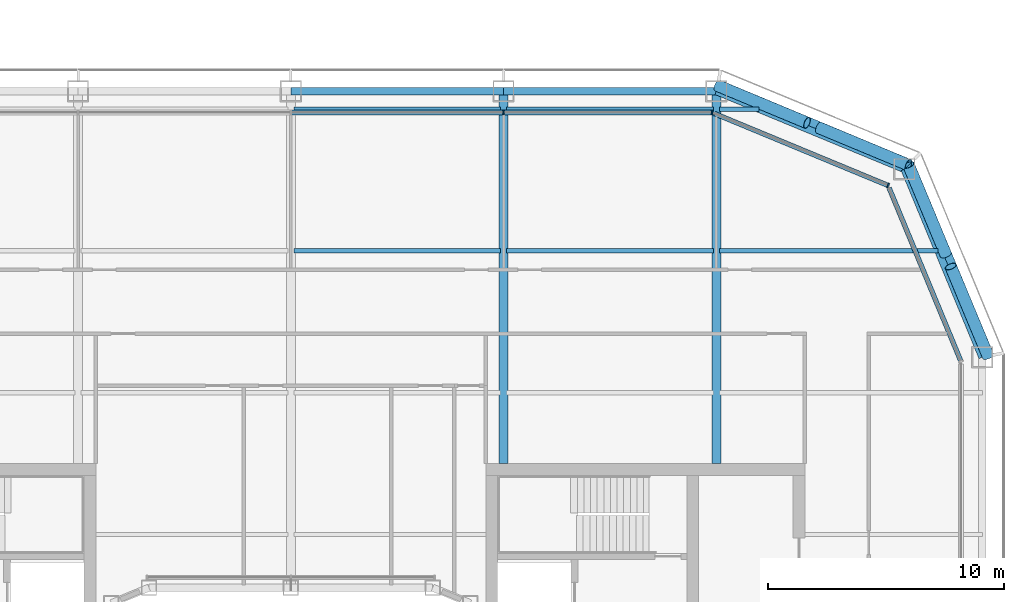
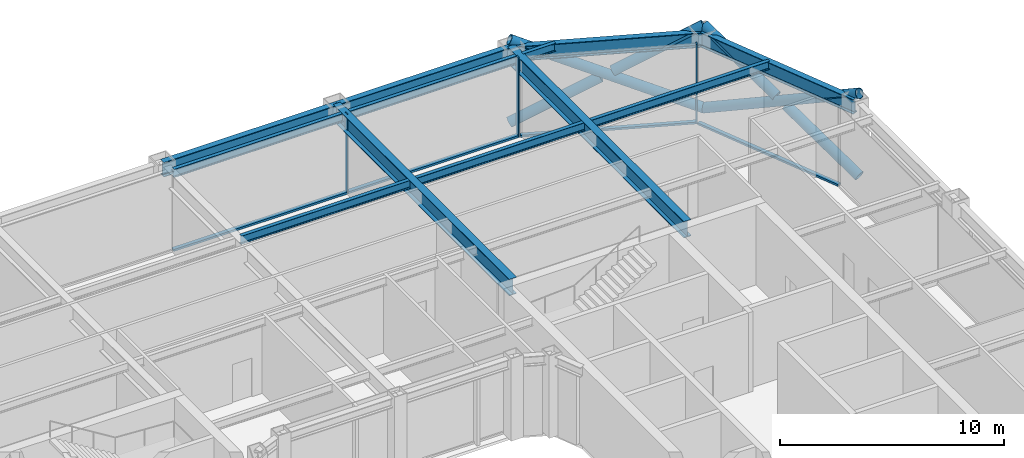
# One storey, part 9 of 23: 13 members, 12 beams, 3 elements without a shape of their own.
"""IFC4 building model written with IfcOpenShell, lengths in metres."""

from ifc_helpers import new_model, si_unit, direction, frame, origin, origin_2d, place, context, subcontext, project, spatial, rectangle, hollow_circle, i_section, extrude, material, layer, layer_set, material_profile, profile_set, type_object, element, aggregate, save


model = new_model("IFC4")

# Units and contexts
model_context = context("Model", 3, precision=1e-05, world=origin(), true_north=direction((0.0, 1.0)))
body_context = subcontext(model_context, "Body", "Model", "MODEL_VIEW")
ifc_project = project(units=[si_unit("LENGTHUNIT", "METRE"), si_unit("AREAUNIT", "SQUARE_METRE"), si_unit("VOLUMEUNIT", "CUBIC_METRE"), si_unit("PLANEANGLEUNIT", "RADIAN"), si_unit("MASSUNIT", "GRAM", prefix="KILO")], contexts=[model_context])

# Site, building, storey
site_placement = place(None, origin())
site = spatial("IfcSite", under=ifc_project, at=site_placement, CompositionType="ELEMENT")
building_placement = place(site_placement, origin())
building = spatial("IfcBuilding", under=site, at=building_placement, Name="Siwar Civic Tower", CompositionType="ELEMENT")
storey_placement = place(building_placement, frame((0.0, 0.0, 172.199951171875)))
storey = spatial("IfcBuildingStorey", under=building, at=storey_placement, Name="L37", CompositionType="ELEMENT", Elevation=172.199951171875)

# Curtain wall, member
ifc_material_1 = material(Name="Aluminium clad insulated panel", Category="aluminium")
ifc_layer_1 = layer(ifc_material_1, 0.199951171875)
ifc_layer_set_1 = layer_set([ifc_layer_1], Name="Aluminium clad insulated panel")
curtain_wall_type_1 = type_object("IfcCurtainWallType", Name="ENV-CW-BX", PredefinedType="NOTDEFINED", material=ifc_layer_set_1)
curtain_wall_1_placement = place(storey_placement, origin())
curtain_wall_1 = element("IfcCurtainWall", 1, at=curtain_wall_1_placement, inside=storey, type_object=curtain_wall_type_1, Name="Curtain wall B NE2", PredefinedType="NOTDEFINED")
ifc_material_2 = material(Name="Aluminium 6063-T6", Category="aluminium")
ifc_material_profile_1 = material_profile(ifc_material_2, rectangle(XDim=0.199951171875, YDim=0.06494140625, at=origin_2d()), Name="AL 200x65")
ifc_profile_set_1 = profile_set([ifc_material_profile_1], Name="Aluminium 6063-T6")
member_type_1 = type_object("IfcMemberType", Name="ENV-MULLION-B", PredefinedType="MULLION", material=ifc_profile_set_1)
member_1_placement = place(storey_placement, frame((25.26611328125, 25.26611328125, 0.0), z_axis=(0.0, 0.0, 1.0), x_axis=(-0.382683432365, -0.923879532511, 0.0)))
member_1 = element("IfcMember", 2, at=member_1_placement, type_object=member_type_1, Name="Mullion B NE2 1", PredefinedType="MULLION", context=body_context, shape_type="SweptSolid", body=[
    extrude(rectangle(XDim=0.199951171875, YDim=0.06494140625, at=origin_2d()), origin(), (0.0, 0.0, 1.0), 4.35009765625),
])

# Curtain wall, members
ifc_material_3 = material(Name="Aluminium and glass", Category="aluminium")
ifc_layer_2 = layer(ifc_material_3, 0.199951171875)
ifc_layer_set_2 = layer_set([ifc_layer_2], Name="Aluminium and glass")
curtain_wall_type_2 = type_object("IfcCurtainWallType", Name="ENV-CW-B", PredefinedType="NOTDEFINED", material=ifc_layer_set_2)
curtain_wall_2_placement = place(storey_placement, origin())
curtain_wall_2 = element("IfcCurtainWall", 3, at=curtain_wall_2_placement, inside=storey, type_object=curtain_wall_type_2, Name="Curtain wall B N", PredefinedType="NOTDEFINED")
member_2_placement = place(storey_placement, frame((17.821044921875, 28.35009765625, 0.0), z_axis=(0.0, 0.0, 1.0), x_axis=(0.0, -1.0, 0.0)))
member_2 = element("IfcMember", 4, at=member_2_placement, type_object=member_type_1, Name="Mullion B N 1", PredefinedType="MULLION", context=body_context, shape_type="SweptSolid", body=[
    extrude(rectangle(XDim=0.199951171875, YDim=0.06494140625, at=origin_2d()), origin(), (0.0, 0.0, 1.0), 4.35009765625),
])
member_3_placement = place(storey_placement, frame((9.0, 28.35009765625, 0.0), z_axis=(0.0, 0.0, 1.0), x_axis=(0.0, -1.0, 0.0)))
member_3 = element("IfcMember", 5, at=member_3_placement, type_object=member_type_1, Name="Mullion B N 2", PredefinedType="MULLION", context=body_context, shape_type="SweptSolid", body=[
    extrude(rectangle(XDim=0.199951171875, YDim=0.06494140625, at=origin_2d()), origin(), (0.0, 0.0, 1.0), 4.35009765625),
])

# Curtain wall, member
curtain_wall_3_placement = place(storey_placement, origin())
curtain_wall_3 = element("IfcCurtainWall", 6, at=curtain_wall_3_placement, inside=storey, type_object=curtain_wall_type_1, Name="Curtain wall B NE1", PredefinedType="NOTDEFINED")
ifc_material_4 = material(Name="Aluminium 6063-T6", Category="aluminium")
ifc_material_profile_2 = material_profile(ifc_material_4, rectangle(XDim=0.199951171875, YDim=0.110107421875, at=origin_2d()), Name="AL 200x110")
ifc_profile_set_2 = profile_set([ifc_material_profile_2], Name="Aluminium 6063-T6")
member_type_2 = type_object("IfcMemberType", Name="ENV-TRANSOM-B", PredefinedType="USERDEFINED", material=ifc_profile_set_2)
member_4_placement = place(storey_placement, frame((28.337646484375, 17.85107421875, 0.054931640625), z_axis=(-0.382699695651, 0.92387279587, 0.0), x_axis=(-0.92387279587, -0.382699695651, 0.0)))
member_4 = element("IfcMember", 7, at=member_4_placement, type_object=member_type_2, Name="Transom B NE1 1", ObjectType="TRANSOM", PredefinedType="USERDEFINED", context=body_context, shape_type="SweptSolid", body=[
    extrude(rectangle(XDim=0.199951171875, YDim=0.110107421875, at=origin_2d()), origin(), (0.0, 0.0, 1.0), 7.912353515625),
])
aggregate(curtain_wall_3, [member_4])

# Member
member_5_placement = place(storey_placement, frame((25.236083984375, 25.278564453125, 0.054931640625), z_axis=(-0.923883705044, 0.382673358825, 0.0), x_axis=(-0.382673358825, -0.923883705044, 0.0)))
member_5 = element("IfcMember", 8, at=member_5_placement, type_object=member_type_2, Name="Transom B NE2 1", ObjectType="TRANSOM", PredefinedType="USERDEFINED", context=body_context, shape_type="SweptSolid", body=[
    extrude(rectangle(XDim=0.199951171875, YDim=0.110107421875, at=origin_2d()), origin(), (0.0, 0.0, 1.0), 7.912353515625),
])

aggregate(curtain_wall_1, [member_1, member_5])

member_6_placement = place(storey_placement, frame((17.78857421875, 28.35009765625, 0.054931640625), z_axis=(-1.0, 0.0, 0.0), x_axis=(0.0, -1.0, 0.0)))
member_6 = element("IfcMember", 9, at=member_6_placement, type_object=member_type_2, Name="Transom B N 1", ObjectType="TRANSOM", PredefinedType="USERDEFINED", context=body_context, shape_type="SweptSolid", body=[
    extrude(rectangle(XDim=0.199951171875, YDim=0.110107421875, at=origin_2d()), origin(), (0.0, 0.0, 1.0), 8.756103515625),
])

member_7_placement = place(storey_placement, frame((8.967529296875, 28.35009765625, 0.054931640625), z_axis=(-1.0, 0.0, 0.0), x_axis=(0.0, -1.0, 0.0)))
member_7 = element("IfcMember", 10, at=member_7_placement, type_object=member_type_2, Name="Transom B N 2", ObjectType="TRANSOM", PredefinedType="USERDEFINED", context=body_context, shape_type="SweptSolid", body=[
    extrude(rectangle(XDim=0.199951171875, YDim=0.110107421875, at=origin_2d()), origin(), (0.0, 0.0, 1.0), 8.93505859375),
])

aggregate(curtain_wall_2, [member_2, member_3, member_6, member_7])

# Members
ifc_material_5 = material(Name="Steel S355", Category="steel")
ifc_material_profile_3 = material_profile(ifc_material_5, hollow_circle(Radius=0.25390625, WallThickness=0.02490234375, at=origin_2d()), Name="CHS508x25")
ifc_profile_set_3 = profile_set([ifc_material_profile_3], Name="Steel S355")
member_type_3 = type_object("IfcMemberType", Name="STR-BR-CHS508x25", PredefinedType="BRACE", material=ifc_profile_set_3)
member_8_placement = place(storey_placement, frame((26.1318359375, 26.1318359375, 0.0), z_axis=(-0.821142553604, 0.341671493852, 0.457149315816), x_axis=(-0.384163874976, -0.923264922524, 0.0)))
element("IfcMember", 11, at=member_8_placement, inside=storey, type_object=member_type_3, Name="L37/brc/BNE1-16-0-1", PredefinedType="BRACE", context=body_context, shape_type="SweptSolid", body=[
    extrude(hollow_circle(Radius=0.25390625, WallThickness=0.02490234375, at=origin_2d()), origin(), (0.0, 0.0, 1.0), 9.843505859375),
])
for number, where, z_axis, x_axis, name in (
    (12, (18.048828125, 29.4951171875, 0.0), (0.821126041429, -0.341677318012, 0.457174621391), (0.384176042158, 0.923259859753, 0.0), "L37/brc/BNE1-16-0-2"),
    (13, (22.342529296875, 27.70849609375, 2.390625), (0.821163134736, -0.341670737976, 0.457112910516), (0.384154943021, 0.923268638995, 0.0), "L37/brc/BNE1-16-0-3"),
):
    element("IfcMember", number, at=place(storey_placement, frame(where, z_axis=z_axis, x_axis=x_axis)), inside=storey, type_object=member_type_3, Name=name, PredefinedType="BRACE", context=body_context, shape_type="SweptSolid", body=[
        extrude(hollow_circle(Radius=0.25390625, WallThickness=0.02490234375, at=origin_2d()), origin(), (0.0, 0.0, 1.0), 4.614501953125),
    ])
member_9_placement = place(storey_placement, frame((26.1318359375, 26.1318359375, 0.0), z_axis=(0.341671493852, -0.821142553604, 0.457149315816), x_axis=(0.923264922524, 0.384163874976, 0.0)))
element("IfcMember", 14, at=member_9_placement, inside=storey, type_object=member_type_3, Name="L37/brc/BNE1-16-0-0", PredefinedType="BRACE", context=body_context, shape_type="SweptSolid", body=[
    extrude(hollow_circle(Radius=0.25390625, WallThickness=0.02490234375, at=origin_2d()), origin(), (0.0, 0.0, 1.0), 9.843505859375),
])
for number, where, z_axis, x_axis, name in (
    (15, (29.4951171875, 18.048828125, 0.0), (-0.341677318012, 0.821126041429, 0.457174621391), (-0.923259859753, -0.384176042158, 0.0), "L37/brc/BNE1-16-0-4"),
    (16, (27.70849609375, 22.342529296875, 2.390625), (-0.341670737976, 0.821163134736, 0.457112910516), (-0.923268638995, -0.384154943021, 0.0), "L37/brc/BNE1-16-0-5"),
):
    element("IfcMember", number, at=place(storey_placement, frame(where, z_axis=z_axis, x_axis=x_axis)), inside=storey, type_object=member_type_3, Name=name, PredefinedType="BRACE", context=body_context, shape_type="SweptSolid", body=[
        extrude(hollow_circle(Radius=0.25390625, WallThickness=0.02490234375, at=origin_2d()), origin(), (0.0, 0.0, 1.0), 4.614501953125),
    ])

# Beams
ifc_material_6 = material(Name="Steel S355", Category="steel")
ifc_material_profile_4 = material_profile(ifc_material_6, i_section(OverallWidth=0.18994140625, OverallDepth=0.449951171875, WebThickness=0.009521484375, FlangeThickness=0.0146484375, FilletRadius=0.02099609375, at=origin_2d()), Name="IPE450")
ifc_profile_set_4 = profile_set([ifc_material_profile_4], Name="Steel S355")
beam_type_1 = type_object("IfcBeamType", Name="STR-FB-IPE450", PredefinedType="JOIST", material=ifc_profile_set_4)
for number, where, z_axis, x_axis, name in (
    (17, (0.1298828125, 22.5, 4.125), (1.0, 0.0, 0.0), (0.0, 1.0, 0.0), "L37/bm/F040"),
    (18, (9.1298828125, 22.5, 4.125), (1.0, 0.0, 0.0), (0.0, 1.0, 0.0), "L37/bm/F041"),
):
    element("IfcBeam", number, at=place(storey_placement, frame(where, z_axis=z_axis, x_axis=x_axis)), inside=storey, type_object=beam_type_1, Name=name, PredefinedType="JOIST", context=body_context, shape_type="SweptSolid", body=[
        extrude(i_section(OverallWidth=0.18994140625, OverallDepth=0.449951171875, WebThickness=0.009521484375, FlangeThickness=0.0146484375, FilletRadius=0.02099609375, at=origin_2d()), origin(), (0.0, 0.0, 1.0), 8.740234375),
    ])
beam_1_placement = place(storey_placement, frame((18.1298828125, 22.5, 4.125), z_axis=(1.0, 0.0, 0.0), x_axis=(0.0, 1.0, 0.0)))
element("IfcBeam", 19, at=beam_1_placement, inside=storey, type_object=beam_type_1, Name="L37/bm/F042", PredefinedType="JOIST", context=body_context, shape_type="SweptSolid", body=[
    extrude(i_section(OverallWidth=0.18994140625, OverallDepth=0.449951171875, WebThickness=0.009521484375, FlangeThickness=0.0146484375, FilletRadius=0.02099609375, at=origin_2d()), origin(), (0.0, 0.0, 1.0), 9.256103515625),
])
for number, where, z_axis, x_axis, name in (
    (20, (0.1298828125, 28.5, 4.125), (1.0, 0.0, 0.0), (0.0, 1.0, 0.0), "L37/bm/F046"),
    (21, (9.1298828125, 28.5, 4.125), (1.0, 0.0, 0.0), (0.0, 1.0, 0.0), "L37/bm/F047"),
):
    element("IfcBeam", number, at=place(storey_placement, frame(where, z_axis=z_axis, x_axis=x_axis)), inside=storey, type_object=beam_type_1, Name=name, PredefinedType="JOIST", context=body_context, shape_type="SweptSolid", body=[
        extrude(i_section(OverallWidth=0.18994140625, OverallDepth=0.449951171875, WebThickness=0.009521484375, FlangeThickness=0.0146484375, FilletRadius=0.02099609375, at=origin_2d()), origin(), (0.0, 0.0, 1.0), 8.740234375),
    ])
beam_2_placement = place(storey_placement, frame((18.1298828125, 28.5, 4.125), z_axis=(1.0, 0.0, 0.0), x_axis=(0.0, 1.0, 0.0)))
element("IfcBeam", 22, at=beam_2_placement, inside=storey, type_object=beam_type_1, Name="L37/bm/F048", PredefinedType="JOIST", context=body_context, shape_type="SweptSolid", body=[
    extrude(i_section(OverallWidth=0.18994140625, OverallDepth=0.449951171875, WebThickness=0.009521484375, FlangeThickness=0.0146484375, FilletRadius=0.02099609375, at=origin_2d()), origin(), (0.0, 0.0, 1.0), 1.6806640625),
])
ifc_material_7 = material(Name="Steel S355", Category="steel")
ifc_material_profile_5 = material_profile(ifc_material_7, i_section(OverallWidth=0.3798828125, OverallDepth=0.89990234375, WebThickness=0.01611328125, FlangeThickness=0.035888671875, at=origin_2d()), Name="PG900x380x16x36")
ifc_profile_set_5 = profile_set([ifc_material_profile_5], Name="Steel S355")
beam_type_2 = type_object("IfcBeamType", Name="STR-PG-PG900x380x16x36", PredefinedType="BEAM", material=ifc_profile_set_5)
for number, where, z_axis, x_axis, name in (
    (23, (9.0, 13.5, 3.900146484375), (0.0, 1.0, 0.0), (-1.0, 0.0, 0.0), "L37/bm/G08"),
    (24, (18.0, 13.5, 3.900146484375), (0.0, 1.0, 0.0), (-1.0, 0.0, 0.0), "L37/bm/G10"),
):
    element("IfcBeam", number, at=place(storey_placement, frame(where, z_axis=z_axis, x_axis=x_axis)), inside=storey, type_object=beam_type_2, Name=name, PredefinedType="BEAM", context=body_context, shape_type="SweptSolid", body=[
        extrude(i_section(OverallWidth=0.3798828125, OverallDepth=0.89990234375, WebThickness=0.01611328125, FlangeThickness=0.035888671875, at=origin_2d()), origin(), (0.0, 0.0, 1.0), 15.75),
    ])
ifc_material_8 = material(Name="Steel S355", Category="steel")
ifc_material_profile_6 = material_profile(ifc_material_8, i_section(OverallWidth=0.300048828125, OverallDepth=0.800048828125, WebThickness=0.017578125, FlangeThickness=0.032958984375, FilletRadius=0.030029296875, at=origin_2d()), Name="HEB800")
ifc_profile_set_6 = profile_set([ifc_material_profile_6], Name="Steel S355")
beam_type_3 = type_object("IfcBeamType", Name="STR-SB-HEB800", PredefinedType="BEAM", material=ifc_profile_set_6)
for number, where, z_axis, x_axis, name in (
    (25, (29.25, 18.0, 3.949951171875), (-0.382699877515, 0.923872720536, 0.0), (-0.923872720536, -0.382699877515, 0.0), "L37/bm/SNE1-0"),
    (26, (25.954833984375, 25.954833984375, 3.949951171875), (-0.923872720536, 0.382699877515, 0.0), (-0.382699877515, -0.923872720536, 0.0), "L37/bm/SNE2-0"),
):
    element("IfcBeam", number, at=place(storey_placement, frame(where, z_axis=z_axis, x_axis=x_axis)), inside=storey, type_object=beam_type_3, Name=name, PredefinedType="BEAM", context=body_context, shape_type="SweptSolid", body=[
        extrude(i_section(OverallWidth=0.300048828125, OverallDepth=0.800048828125, WebThickness=0.017578125, FlangeThickness=0.032958984375, FilletRadius=0.030029296875, at=origin_2d()), origin(), (0.0, 0.0, 1.0), 8.6103515625),
    ])
for number, where, z_axis, x_axis, name in (
    (27, (18.0, 29.25, 3.949951171875), (-1.0, 0.0, 0.0), (0.0, -1.0, 0.0), "L37/bm/SN-0"),
    (28, (9.0, 29.25, 3.949951171875), (-1.0, 0.0, 0.0), (0.0, -1.0, 0.0), "L37/bm/SN-1"),
):
    element("IfcBeam", number, at=place(storey_placement, frame(where, z_axis=z_axis, x_axis=x_axis)), inside=storey, type_object=beam_type_3, Name=name, PredefinedType="BEAM", context=body_context, shape_type="SweptSolid", body=[
        extrude(i_section(OverallWidth=0.300048828125, OverallDepth=0.800048828125, WebThickness=0.017578125, FlangeThickness=0.032958984375, FilletRadius=0.030029296875, at=origin_2d()), origin(), (0.0, 0.0, 1.0), 9.0),
    ])

save(model, "model.ifc")
